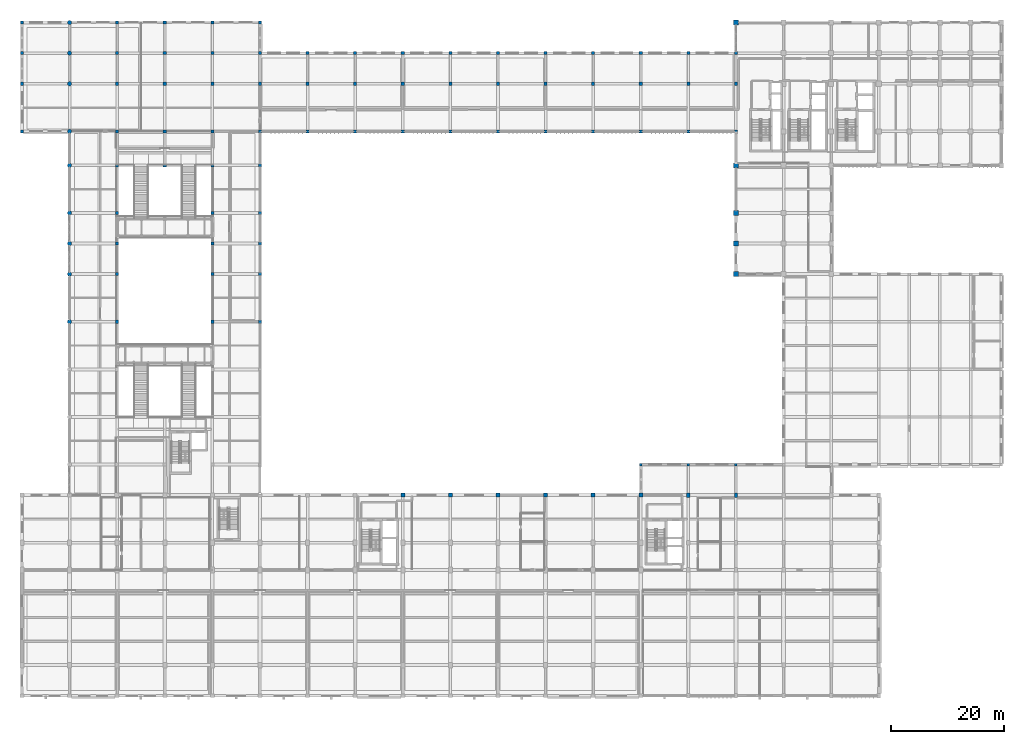
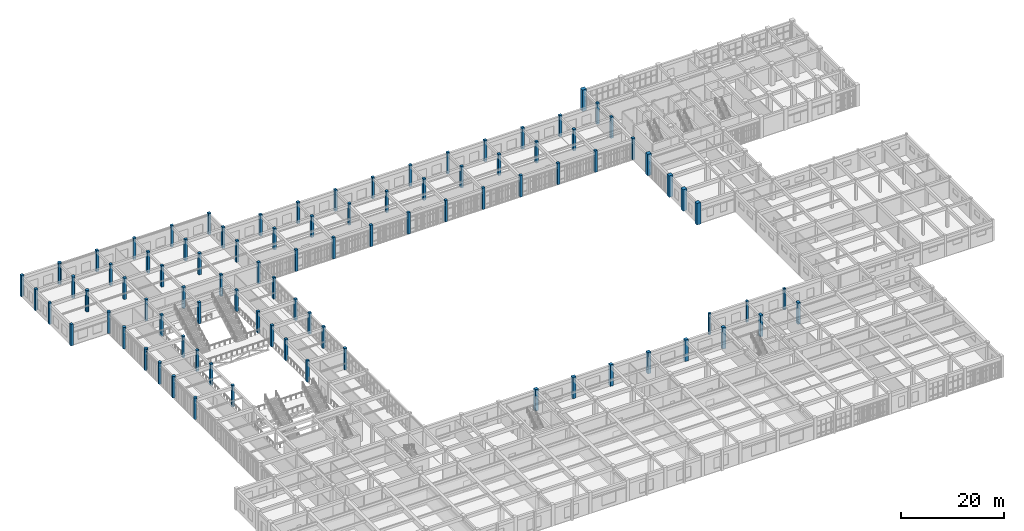
# One storey, part 10 of 106: 91 columns.
"""IFC4 building model written with IfcOpenShell, lengths in metres."""

from ifc_helpers import new_model, si_unit, direction, frame, origin, origin_2d, place, context, subcontext, project, spatial, rectangle, circle, extrude, material, material_profile, profile_set, type_object, element, save


model = new_model("IFC4")

# Units and contexts
model_context = context("Model", 3, precision=1e-05, world=origin(), true_north=direction((0.0, 1.0)))
body_context = subcontext(model_context, "Body", "Model", "MODEL_VIEW")
ifc_project = project(units=[si_unit("LENGTHUNIT", "METRE"), si_unit("AREAUNIT", "SQUARE_METRE"), si_unit("VOLUMEUNIT", "CUBIC_METRE"), si_unit("PLANEANGLEUNIT", "RADIAN"), si_unit("MASSUNIT", "GRAM", prefix="KILO")], contexts=[model_context])

# Site, building, storey
site_placement = place(None, origin())
site = spatial("IfcSite", under=ifc_project, at=site_placement, CompositionType="ELEMENT")
building_placement = place(site_placement, origin())
building = spatial("IfcBuilding", under=site, at=building_placement, Name="Krzemoval Escarpment Law Courts", CompositionType="ELEMENT")
storey_placement = place(building_placement, frame((0.0, 0.0, 5.10009765625)))
storey = spatial("IfcBuildingStorey", under=building, at=storey_placement, Name="L01", CompositionType="ELEMENT", Elevation=5.10009765625)

# Columns
ifc_material_1 = material(Name="Concrete C40/50", Category="concrete")
ifc_material_profile_1 = material_profile(ifc_material_1, rectangle(XDim=0.449951171875, YDim=0.449951171875, at=origin_2d()), Name="RC 450x450")
ifc_profile_set_1 = profile_set([ifc_material_profile_1], Name="Concrete C40/50")
column_type_1 = type_object("IfcColumnType", Name="COL-RC-450", PredefinedType="COLUMN", material=ifc_profile_set_1)
for number, where, z_axis, x_axis, name in (
    (1, (109.199951171875, 40.800048828125, 0.0), (0.0, 0.0, 1.0), (1.0, 0.0, 0.0), "Column FC-L01-0693"),
    (2, (117.60009765625, 40.800048828125, 0.0), (0.0, 0.0, 1.0), (1.0, 0.0, 0.0), "Column FC-L01-0702"),
    (3, (126.0, 40.800048828125, 0.0), (0.0, 0.0, 1.0), (1.0, 0.0, 0.0), "Column FC-L01-0711"),
):
    element("IfcColumn", number, at=place(storey_placement, frame(where, z_axis=z_axis, x_axis=x_axis)), inside=storey, type_object=column_type_1, Name=name, PredefinedType="COLUMN", context=body_context, shape_type="SweptSolid", body=[
        extrude(rectangle(XDim=0.449951171875, YDim=0.449951171875, at=origin_2d()), origin(), (0.0, 0.0, 1.0), 5.099853515625),
    ])
ifc_material_2 = material(Name="Concrete C40/50", Category="concrete")
ifc_material_profile_2 = material_profile(ifc_material_2, rectangle(XDim=0.550048828125, YDim=0.550048828125, at=origin_2d()), Name="RC 550x550")
ifc_profile_set_2 = profile_set([ifc_material_profile_2], Name="Concrete C40/50")
column_type_2 = type_object("IfcColumnType", Name="COL-RC-550", PredefinedType="COLUMN", material=ifc_profile_set_2)
for number, where, z_axis, x_axis, name in (
    (4, (0.0, 99.60009765625, 0.0), (0.0, 0.0, 1.0), (1.0, 0.0, 0.0), "Column FC-L01-0548"),
    (5, (0.0, 108.0, 0.0), (0.0, 0.0, 1.0), (1.0, 0.0, 0.0), "Column FC-L01-0549"),
    (6, (0.0, 113.39990234375, 0.0), (0.0, 0.0, 1.0), (1.0, 0.0, 0.0), "Column FC-L01-0550"),
    (7, (0.0, 118.800048828125, 0.0), (0.0, 0.0, 1.0), (1.0, 0.0, 0.0), "Column FC-L01-0551"),
    (8, (16.800048828125, 66.0, 0.0), (0.0, 0.0, 1.0), (1.0, 0.0, 0.0), "Column FC-L01-0577"),
    (9, (16.800048828125, 74.39990234375, 0.0), (0.0, 0.0, 1.0), (1.0, 0.0, 0.0), "Column FC-L01-0578"),
    (10, (16.800048828125, 79.800048828125, 0.0), (0.0, 0.0, 1.0), (1.0, 0.0, 0.0), "Column FC-L01-0579"),
    (11, (16.800048828125, 85.199951171875, 0.0), (0.0, 0.0, 1.0), (1.0, 0.0, 0.0), "Column FC-L01-0580"),
    (12, (16.800048828125, 93.60009765625, 0.0), (0.0, 0.0, 1.0), (1.0, 0.0, 0.0), "Column FC-L01-0581"),
    (13, (16.800048828125, 99.60009765625, 0.0), (0.0, 0.0, 1.0), (1.0, 0.0, 0.0), "Column FC-L01-0582"),
    (14, (16.800048828125, 108.0, 0.0), (0.0, 0.0, 1.0), (1.0, 0.0, 0.0), "Column FC-L01-0583"),
    (15, (16.800048828125, 113.39990234375, 0.0), (0.0, 0.0, 1.0), (1.0, 0.0, 0.0), "Column FC-L01-0584"),
    (16, (16.800048828125, 118.800048828125, 0.0), (0.0, 0.0, 1.0), (1.0, 0.0, 0.0), "Column FC-L01-0585"),
    (17, (25.199951171875, 93.60009765625, 0.0), (0.0, 0.0, 1.0), (1.0, 0.0, 0.0), "Column FC-L01-0593"),
    (18, (25.199951171875, 99.60009765625, 0.0), (0.0, 0.0, 1.0), (1.0, 0.0, 0.0), "Column FC-L01-0594"),
    (19, (25.199951171875, 108.0, 0.0), (0.0, 0.0, 1.0), (1.0, 0.0, 0.0), "Column FC-L01-0595"),
    (20, (25.199951171875, 113.39990234375, 0.0), (0.0, 0.0, 1.0), (1.0, 0.0, 0.0), "Column FC-L01-0596"),
    (21, (25.199951171875, 118.800048828125, 0.0), (0.0, 0.0, 1.0), (1.0, 0.0, 0.0), "Column FC-L01-0597"),
    (22, (33.60009765625, 66.0, 0.0), (0.0, 0.0, 1.0), (1.0, 0.0, 0.0), "Column FC-L01-0606"),
    (23, (33.60009765625, 74.39990234375, 0.0), (0.0, 0.0, 1.0), (1.0, 0.0, 0.0), "Column FC-L01-0607"),
    (24, (33.60009765625, 79.800048828125, 0.0), (0.0, 0.0, 1.0), (1.0, 0.0, 0.0), "Column FC-L01-0608"),
    (25, (33.60009765625, 85.199951171875, 0.0), (0.0, 0.0, 1.0), (1.0, 0.0, 0.0), "Column FC-L01-0609"),
    (26, (33.60009765625, 93.60009765625, 0.0), (0.0, 0.0, 1.0), (1.0, 0.0, 0.0), "Column FC-L01-0610"),
    (27, (33.60009765625, 99.60009765625, 0.0), (0.0, 0.0, 1.0), (1.0, 0.0, 0.0), "Column FC-L01-0611"),
    (28, (33.60009765625, 108.0, 0.0), (0.0, 0.0, 1.0), (1.0, 0.0, 0.0), "Column FC-L01-0612"),
    (29, (33.60009765625, 113.39990234375, 0.0), (0.0, 0.0, 1.0), (1.0, 0.0, 0.0), "Column FC-L01-0613"),
    (30, (33.60009765625, 118.800048828125, 0.0), (0.0, 0.0, 1.0), (1.0, 0.0, 0.0), "Column FC-L01-0614"),
    (31, (42.0, 66.0, 0.0), (0.0, 0.0, 1.0), (1.0, 0.0, 0.0), "Column FC-L01-0623"),
    (32, (42.0, 74.39990234375, 0.0), (0.0, 0.0, 1.0), (1.0, 0.0, 0.0), "Column FC-L01-0624"),
    (33, (42.0, 79.800048828125, 0.0), (0.0, 0.0, 1.0), (1.0, 0.0, 0.0), "Column FC-L01-0625"),
    (34, (42.0, 85.199951171875, 0.0), (0.0, 0.0, 1.0), (1.0, 0.0, 0.0), "Column FC-L01-0626"),
    (35, (42.0, 93.60009765625, 0.0), (0.0, 0.0, 1.0), (1.0, 0.0, 0.0), "Column FC-L01-0627"),
    (36, (42.0, 99.60009765625, 0.0), (0.0, 0.0, 1.0), (1.0, 0.0, 0.0), "Column FC-L01-0628"),
    (37, (42.0, 108.0, 0.0), (0.0, 0.0, 1.0), (1.0, 0.0, 0.0), "Column FC-L01-0629"),
    (38, (42.0, 113.39990234375, 0.0), (0.0, 0.0, 1.0), (1.0, 0.0, 0.0), "Column FC-L01-0630"),
    (39, (42.0, 118.800048828125, 0.0), (0.0, 0.0, 1.0), (1.0, 0.0, 0.0), "Column FC-L01-0631"),
    (40, (50.39990234375, 99.60009765625, 0.0), (0.0, 0.0, 1.0), (1.0, 0.0, 0.0), "Column FC-L01-0637"),
    (41, (50.39990234375, 108.0, 0.0), (0.0, 0.0, 1.0), (1.0, 0.0, 0.0), "Column FC-L01-0638"),
    (42, (50.39990234375, 113.39990234375, 0.0), (0.0, 0.0, 1.0), (1.0, 0.0, 0.0), "Column FC-L01-0639"),
    (43, (58.800048828125, 99.60009765625, 0.0), (0.0, 0.0, 1.0), (1.0, 0.0, 0.0), "Column FC-L01-0645"),
    (44, (58.800048828125, 108.0, 0.0), (0.0, 0.0, 1.0), (1.0, 0.0, 0.0), "Column FC-L01-0646"),
    (45, (58.800048828125, 113.39990234375, 0.0), (0.0, 0.0, 1.0), (1.0, 0.0, 0.0), "Column FC-L01-0647"),
    (46, (67.199951171875, 99.60009765625, 0.0), (0.0, 0.0, 1.0), (1.0, 0.0, 0.0), "Column FC-L01-0653"),
    (47, (67.199951171875, 108.0, 0.0), (0.0, 0.0, 1.0), (1.0, 0.0, 0.0), "Column FC-L01-0654"),
    (48, (67.199951171875, 113.39990234375, 0.0), (0.0, 0.0, 1.0), (1.0, 0.0, 0.0), "Column FC-L01-0655"),
    (49, (75.60009765625, 99.60009765625, 0.0), (0.0, 0.0, 1.0), (1.0, 0.0, 0.0), "Column FC-L01-0661"),
    (50, (75.60009765625, 108.0, 0.0), (0.0, 0.0, 1.0), (1.0, 0.0, 0.0), "Column FC-L01-0662"),
    (51, (75.60009765625, 113.39990234375, 0.0), (0.0, 0.0, 1.0), (1.0, 0.0, 0.0), "Column FC-L01-0663"),
    (52, (84.0, 99.60009765625, 0.0), (0.0, 0.0, 1.0), (1.0, 0.0, 0.0), "Column FC-L01-0669"),
    (53, (84.0, 108.0, 0.0), (0.0, 0.0, 1.0), (1.0, 0.0, 0.0), "Column FC-L01-0670"),
    (54, (84.0, 113.39990234375, 0.0), (0.0, 0.0, 1.0), (1.0, 0.0, 0.0), "Column FC-L01-0671"),
    (55, (92.39990234375, 99.60009765625, 0.0), (0.0, 0.0, 1.0), (1.0, 0.0, 0.0), "Column FC-L01-0677"),
    (56, (92.39990234375, 108.0, 0.0), (0.0, 0.0, 1.0), (1.0, 0.0, 0.0), "Column FC-L01-0678"),
    (57, (92.39990234375, 113.39990234375, 0.0), (0.0, 0.0, 1.0), (1.0, 0.0, 0.0), "Column FC-L01-0679"),
    (58, (100.800048828125, 99.60009765625, 0.0), (0.0, 0.0, 1.0), (1.0, 0.0, 0.0), "Column FC-L01-0685"),
    (59, (100.800048828125, 108.0, 0.0), (0.0, 0.0, 1.0), (1.0, 0.0, 0.0), "Column FC-L01-0686"),
    (60, (100.800048828125, 113.39990234375, 0.0), (0.0, 0.0, 1.0), (1.0, 0.0, 0.0), "Column FC-L01-0687"),
    (61, (109.199951171875, 99.60009765625, 0.0), (0.0, 0.0, 1.0), (1.0, 0.0, 0.0), "Column FC-L01-0694"),
    (62, (109.199951171875, 108.0, 0.0), (0.0, 0.0, 1.0), (1.0, 0.0, 0.0), "Column FC-L01-0695"),
    (63, (109.199951171875, 113.39990234375, 0.0), (0.0, 0.0, 1.0), (1.0, 0.0, 0.0), "Column FC-L01-0696"),
    (64, (117.60009765625, 99.60009765625, 0.0), (0.0, 0.0, 1.0), (1.0, 0.0, 0.0), "Column FC-L01-0703"),
    (65, (117.60009765625, 108.0, 0.0), (0.0, 0.0, 1.0), (1.0, 0.0, 0.0), "Column FC-L01-0704"),
    (66, (117.60009765625, 113.39990234375, 0.0), (0.0, 0.0, 1.0), (1.0, 0.0, 0.0), "Column FC-L01-0705"),
    (67, (126.0, 99.60009765625, 0.0), (0.0, 0.0, 1.0), (1.0, 0.0, 0.0), "Column FC-L01-0716"),
    (68, (126.0, 108.0, 0.0), (0.0, 0.0, 1.0), (1.0, 0.0, 0.0), "Column FC-L01-0717"),
    (69, (126.0, 113.39990234375, 0.0), (0.0, 0.0, 1.0), (1.0, 0.0, 0.0), "Column FC-L01-0718"),
):
    element("IfcColumn", number, at=place(storey_placement, frame(where, z_axis=z_axis, x_axis=x_axis)), inside=storey, type_object=column_type_2, Name=name, PredefinedType="COLUMN", context=body_context, shape_type="SweptSolid", body=[
        extrude(rectangle(XDim=0.550048828125, YDim=0.550048828125, at=origin_2d()), origin(), (0.0, 0.0, 1.0), 5.099853515625),
    ])
ifc_material_3 = material(Name="Concrete C40/50", Category="concrete")
ifc_material_profile_3 = material_profile(ifc_material_3, rectangle(XDim=0.60009765625, YDim=0.800048828125, at=origin_2d()), Name="RC 600x800")
ifc_profile_set_3 = profile_set([ifc_material_profile_3], Name="Concrete C40/50")
column_type_3 = type_object("IfcColumnType", Name="COL-RC-600x800", PredefinedType="COLUMN", material=ifc_profile_set_3)
for number, where, z_axis, x_axis, name in (
    (70, (117.60009765625, 35.39990234375, 0.0), (0.0, 0.0, 1.0), (1.0, 0.0, 0.0), "Column FC-L01-0701"),
    (71, (126.0, 35.39990234375, 0.0), (0.0, 0.0, 1.0), (1.0, 0.0, 0.0), "Column FC-L01-0710"),
):
    element("IfcColumn", number, at=place(storey_placement, frame(where, z_axis=z_axis, x_axis=x_axis)), inside=storey, type_object=column_type_3, Name=name, PredefinedType="COLUMN", context=body_context, shape_type="SweptSolid", body=[
        extrude(rectangle(XDim=0.60009765625, YDim=0.800048828125, at=origin_2d()), origin(), (0.0, 0.0, 1.0), 5.099853515625),
    ])
ifc_material_4 = material(Name="Concrete C40/50", Category="concrete")
ifc_material_profile_4 = material_profile(ifc_material_4, rectangle(XDim=0.699951171875, YDim=0.699951171875, at=origin_2d()), Name="RC 700x700")
ifc_profile_set_4 = profile_set([ifc_material_profile_4], Name="Concrete C40/50")
column_type_4 = type_object("IfcColumnType", Name="COL-RC-700", PredefinedType="COLUMN", material=ifc_profile_set_4)
for number, where, z_axis, x_axis, name in (
    (72, (67.199951171875, 35.39990234375, 0.0), (0.0, 0.0, 1.0), (1.0, 0.0, 0.0), "Column FC-L01-0652"),
    (73, (75.60009765625, 35.39990234375, 0.0), (0.0, 0.0, 1.0), (1.0, 0.0, 0.0), "Column FC-L01-0660"),
    (74, (84.0, 35.39990234375, 0.0), (0.0, 0.0, 1.0), (1.0, 0.0, 0.0), "Column FC-L01-0668"),
    (75, (92.39990234375, 35.39990234375, 0.0), (0.0, 0.0, 1.0), (1.0, 0.0, 0.0), "Column FC-L01-0676"),
    (76, (100.800048828125, 35.39990234375, 0.0), (0.0, 0.0, 1.0), (1.0, 0.0, 0.0), "Column FC-L01-0684"),
    (77, (109.199951171875, 35.39990234375, 0.0), (0.0, 0.0, 1.0), (1.0, 0.0, 0.0), "Column FC-L01-0692"),
):
    element("IfcColumn", number, at=place(storey_placement, frame(where, z_axis=z_axis, x_axis=x_axis)), inside=storey, type_object=column_type_4, Name=name, PredefinedType="COLUMN", context=body_context, shape_type="SweptSolid", body=[
        extrude(rectangle(XDim=0.699951171875, YDim=0.699951171875, at=origin_2d()), origin(), (0.0, 0.0, 1.0), 5.099853515625),
    ])
ifc_material_5 = material(Name="Concrete C50/60", Category="concrete")
ifc_material_profile_5 = material_profile(ifc_material_5, rectangle(XDim=0.85009765625, YDim=0.85009765625, at=origin_2d()), Name="RC 850x850")
ifc_profile_set_5 = profile_set([ifc_material_profile_5], Name="Concrete C50/60")
column_type_5 = type_object("IfcColumnType", Name="COL-RC-850", PredefinedType="COLUMN", material=ifc_profile_set_5)
for number, where, z_axis, x_axis, name in (
    (78, (126.0, 74.39990234375, 0.0), (0.0, 0.0, 1.0), (1.0, 0.0, 0.0), "Column FC-L01-0712"),
    (79, (126.0, 79.800048828125, 0.0), (0.0, 0.0, 1.0), (1.0, 0.0, 0.0), "Column FC-L01-0713"),
    (80, (126.0, 85.199951171875, 0.0), (0.0, 0.0, 1.0), (1.0, 0.0, 0.0), "Column FC-L01-0714"),
    (81, (126.0, 93.60009765625, 0.0), (0.0, 0.0, 1.0), (1.0, 0.0, 0.0), "Column FC-L01-0715"),
):
    element("IfcColumn", number, at=place(storey_placement, frame(where, z_axis=z_axis, x_axis=x_axis)), inside=storey, type_object=column_type_5, Name=name, PredefinedType="COLUMN", context=body_context, shape_type="SweptSolid", body=[
        extrude(rectangle(XDim=0.85009765625, YDim=0.85009765625, at=origin_2d()), origin(), (0.0, 0.0, 1.0), 5.099853515625),
    ])
ifc_material_6 = material(Name="Concrete C50/60", Category="concrete")
ifc_material_profile_6 = material_profile(ifc_material_6, rectangle(XDim=0.89990234375, YDim=0.89990234375, at=origin_2d()), Name="RC 900x900")
ifc_profile_set_6 = profile_set([ifc_material_profile_6], Name="Concrete C50/60")
column_type_6 = type_object("IfcColumnType", Name="COL-RC-900", PredefinedType="COLUMN", material=ifc_profile_set_6)
column_placement = place(storey_placement, frame((126.0, 118.800048828125, 0.0), z_axis=(0.0, 0.0, 1.0), x_axis=(1.0, 0.0, 0.0)))
element("IfcColumn", 82, at=column_placement, inside=storey, type_object=column_type_6, Name="Column FC-L01-0719", PredefinedType="COLUMN", context=body_context, shape_type="SweptSolid", body=[
    extrude(rectangle(XDim=0.89990234375, YDim=0.89990234375, at=origin_2d()), origin(), (0.0, 0.0, 1.0), 5.099853515625),
])
ifc_material_7 = material(Name="Concrete C40/50", Category="concrete")
ifc_material_profile_7 = material_profile(ifc_material_7, circle(Radius=0.375, at=origin_2d()), Name="RC D750")
ifc_profile_set_7 = profile_set([ifc_material_profile_7], Name="Concrete C40/50")
column_type_7 = type_object("IfcColumnType", Name="COL-RCD-750", PredefinedType="COLUMN", material=ifc_profile_set_7)
for number, where, z_axis, x_axis, name in (
    (83, (8.39990234375, 66.0, 0.0), (0.0, 0.0, 1.0), (1.0, 0.0, 0.0), "Column FC-L01-0560"),
    (84, (8.39990234375, 74.39990234375, 0.0), (0.0, 0.0, 1.0), (1.0, 0.0, 0.0), "Column FC-L01-0561"),
    (85, (8.39990234375, 79.800048828125, 0.0), (0.0, 0.0, 1.0), (1.0, 0.0, 0.0), "Column FC-L01-0562"),
    (86, (8.39990234375, 85.199951171875, 0.0), (0.0, 0.0, 1.0), (1.0, 0.0, 0.0), "Column FC-L01-0563"),
    (87, (8.39990234375, 93.60009765625, 0.0), (0.0, 0.0, 1.0), (1.0, 0.0, 0.0), "Column FC-L01-0564"),
    (88, (8.39990234375, 99.60009765625, 0.0), (0.0, 0.0, 1.0), (1.0, 0.0, 0.0), "Column FC-L01-0565"),
    (89, (8.39990234375, 108.0, 0.0), (0.0, 0.0, 1.0), (1.0, 0.0, 0.0), "Column FC-L01-0566"),
    (90, (8.39990234375, 113.39990234375, 0.0), (0.0, 0.0, 1.0), (1.0, 0.0, 0.0), "Column FC-L01-0567"),
    (91, (8.39990234375, 118.800048828125, 0.0), (0.0, 0.0, 1.0), (1.0, 0.0, 0.0), "Column FC-L01-0568"),
):
    element("IfcColumn", number, at=place(storey_placement, frame(where, z_axis=z_axis, x_axis=x_axis)), inside=storey, type_object=column_type_7, Name=name, PredefinedType="COLUMN", context=body_context, shape_type="SweptSolid", body=[
        extrude(circle(Radius=0.375, at=origin_2d()), origin(), (0.0, 0.0, 1.0), 5.099853515625),
    ])

save(model, "model.ifc")
